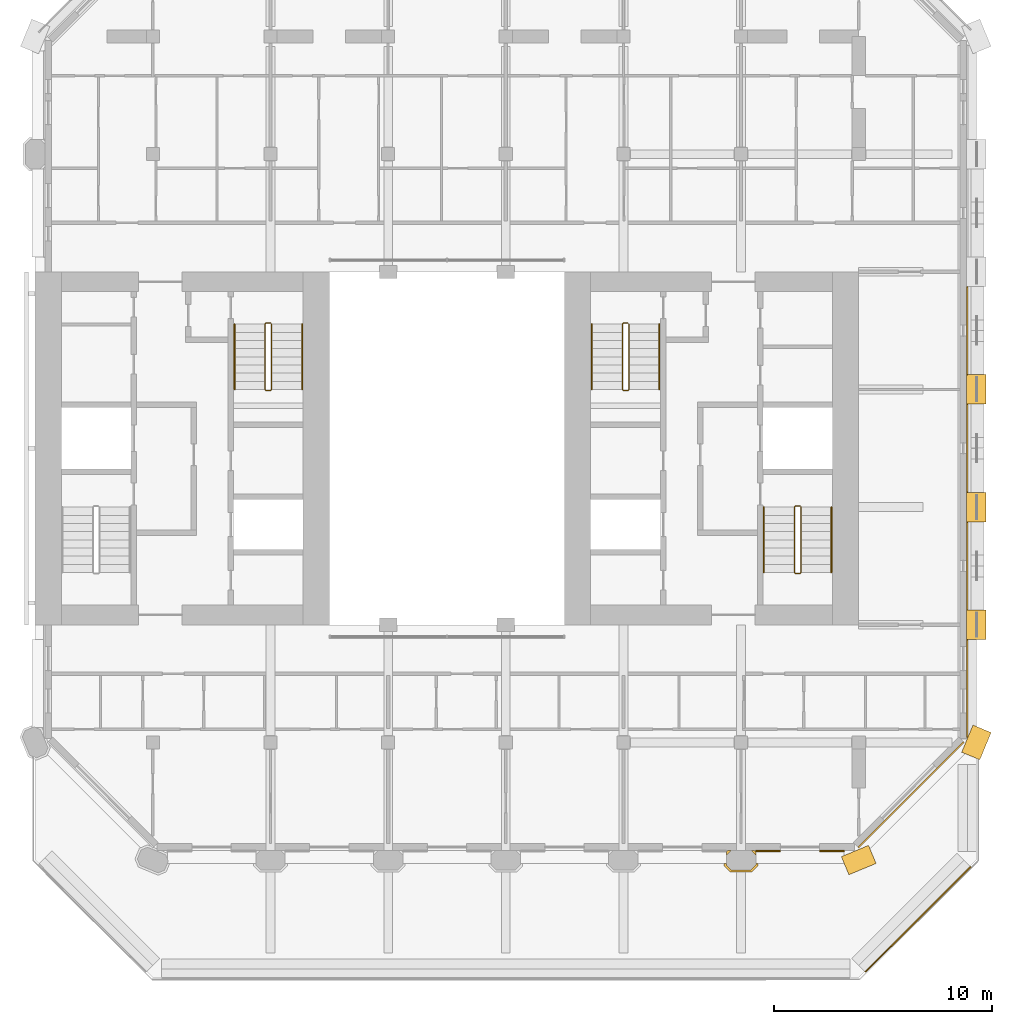
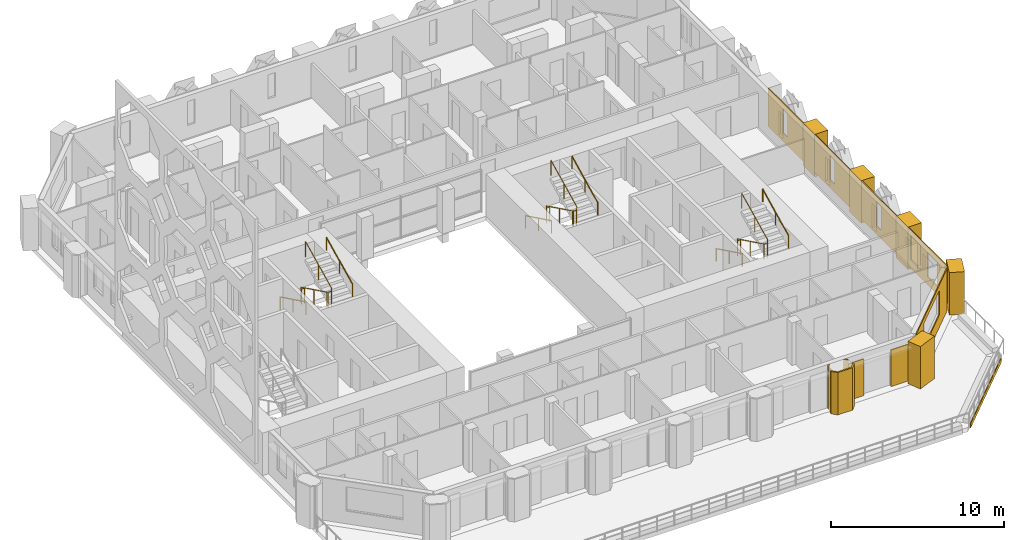
# One storey, part 16 of 17: 16 coverings, 9 railings.
"""IFC4 building model written with IfcOpenShell, lengths in metres."""

from ifc_helpers import new_model, si_unit, direction, frame, frame_2d, origin, origin_2d, place, context, subcontext, project, spatial, polyline, rectangle, circle, outline, extrude, material, layer, layer_set, type_object, element, save


model = new_model("IFC4")

# Units and contexts
model_context = context("Model", 3, precision=1e-05, world=origin(), true_north=direction((0.0, 1.0)))
body_context = subcontext(model_context, "Body", "Model", "MODEL_VIEW")
ifc_project = project(units=[si_unit("LENGTHUNIT", "METRE"), si_unit("AREAUNIT", "SQUARE_METRE"), si_unit("VOLUMEUNIT", "CUBIC_METRE"), si_unit("PLANEANGLEUNIT", "RADIAN"), si_unit("MASSUNIT", "GRAM", prefix="KILO")], contexts=[model_context])

# Site, building, storey
site_placement = place(None, origin())
site = spatial("IfcSite", under=ifc_project, at=site_placement, CompositionType="ELEMENT")
building_placement = place(site_placement, origin())
building = spatial("IfcBuilding", under=site, at=building_placement, Name="Tabaq Tower and Sports Hall", CompositionType="ELEMENT")
storey_placement = place(building_placement, frame((0.0, 0.0, 288.39990234375)))
storey = spatial("IfcBuildingStorey", under=building, at=storey_placement, Name="L71", CompositionType="ELEMENT", Elevation=288.39990234375)

# Coverings
ifc_material_1 = material(Name="Precast concrete C60/75", Category="concrete")
ifc_layer_1 = layer(ifc_material_1, 0.10009765625)
ifc_layer_set_1 = layer_set([ifc_layer_1], Name="Column cladding 100")
covering_type_1 = type_object("IfcCoveringType", Name="Column cladding 100", PredefinedType="CLADDING", material=ifc_layer_set_1)
covering_1_placement = place(storey_placement, origin())
element("IfcCovering", 1, at=covering_1_placement, inside=storey, type_object=covering_type_1, Name="Column cladding L71 PC-8B-R2", PredefinedType="CLADDING", context=body_context, shape_type="SweptSolid", body=[
    extrude(outline(polyline([(37.025634765625, 5.24951171875), (37.12451171875, 5.24951171875), (37.12451171875, 5.1748046875), (37.349853515625, 4.949462890625), (38.250244140625, 4.949462890625), (38.4755859375, 5.1748046875), (38.4755859375, 5.24951171875), (38.574462890625, 5.24951171875), (38.574462890625, 5.1337890625), (38.291259765625, 4.8505859375), (37.308837890625, 4.8505859375), (37.025634765625, 5.1337890625), (37.025634765625, 5.24951171875)])), origin(), (0.0, 0.0, 1.0), 3.0),
])
covering_2_placement = place(storey_placement, origin())
element("IfcCovering", 2, at=covering_2_placement, inside=storey, type_object=covering_type_1, Name="Column cladding L71 PC-8B-R2 2", PredefinedType="CLADDING", context=body_context, shape_type="SweptSolid", body=[
    extrude(outline(polyline([(37.208740234375, 5.849609375), (37.349365234375, 5.849609375), (37.125244140625, 5.625732421875), (37.125244140625, 5.766357421875), (37.208740234375, 5.849609375)])), origin(), (0.0, 0.0, 1.0), 3.0),
])
covering_3_placement = place(storey_placement, origin())
element("IfcCovering", 3, at=covering_3_placement, inside=storey, type_object=covering_type_1, Name="Column cladding L71 PC-8B-R2 3", PredefinedType="CLADDING", context=body_context, shape_type="SweptSolid", body=[
    extrude(outline(polyline([(38.474365234375, 5.62646484375), (38.25146484375, 5.849365234375), (38.39111328125, 5.849365234375), (38.474365234375, 5.76611328125), (38.474365234375, 5.62646484375)])), origin(), (0.0, 0.0, 1.0), 3.0),
])
ifc_material_2 = material(Name="Precast concrete C60/75", Category="concrete")
ifc_layer_2 = layer(ifc_material_2, 0.06005859375)
ifc_layer_set_2 = layer_set([ifc_layer_2], Name="Edge beam cladding 60")
covering_type_2 = type_object("IfcCoveringType", Name="Edge beam cladding 60", PredefinedType="CLADDING", material=ifc_layer_set_2)
covering_4_placement = place(storey_placement, frame((43.505615234375, 0.26318359375, -0.2998046875), z_axis=(0.0, 0.0, 1.0), x_axis=(0.707106781187, 0.707106781187, 0.0)))
element("IfcCovering", 4, at=covering_4_placement, inside=storey, type_object=covering_type_2, Name="Edge beam cladding L71 5", PredefinedType="CLADDING", context=body_context, shape_type="SweptSolid", body=[
    extrude(rectangle(XDim=6.83251953125, YDim=0.06005859375, at=frame_2d((3.416259765625, 0.0))), origin(), (0.0, 0.0, 1.0), 0.2998046875),
])
ifc_material_3 = material(Name="White precast concrete C60/75", Category="concrete")
covering_type_3 = type_object("IfcCoveringType", Name="Pier cladding hung 1350x900", PredefinedType="CLADDING", material=ifc_material_3)
for number, where, z_axis, x_axis, name in (
    (5, (42.576416015625, 5.1416015625, 0.0), (0.0, 0.0, 1.0), (0.923893411637, 0.382649923473, 0.0), "Hung pier cladding 8/1"),
    (6, (48.341796875, 10.17626953125, 0.0), (0.0, 0.0, 1.0), (0.382649923473, 0.923893411637, 0.0), "Hung pier cladding 9/2"),
    (7, (48.60009765625, 15.52490234375, 0.0), (0.0, 0.0, 1.0), (0.0, 1.0, 0.0), "Hung pier cladding 9/3"),
):
    element("IfcCovering", number, at=place(storey_placement, frame(where, z_axis=z_axis, x_axis=x_axis)), inside=storey, type_object=covering_type_3, Name=name, PredefinedType="CLADDING", context=body_context, shape_type="SweptSolid", body=[
        extrude(rectangle(XDim=1.35009765625, YDim=0.89990234375, at=frame_2d((0.675048828125, 0.0))), origin(), (0.0, 0.0, 1.0), 3.0),
    ])
covering_5_placement = place(storey_placement, frame((48.60009765625, 20.925048828125, 0.0), z_axis=(0.0, 0.0, 1.0), x_axis=(0.0, 1.0, 0.0)))
element("IfcCovering", 8, at=covering_5_placement, inside=storey, type_object=covering_type_3, Name="Hung pier cladding 9/4", PredefinedType="CLADDING", context=body_context, shape_type="SweptSolid", body=[
    extrude(rectangle(XDim=1.349853515625, YDim=0.89990234375, at=frame_2d((0.6748046875, 0.0))), origin(), (0.0, 0.0, 1.0), 3.0),
])
covering_6_placement = place(storey_placement, frame((48.60009765625, 26.324951171875, 0.0), z_axis=(0.0, 0.0, 1.0), x_axis=(0.0, 1.0, 0.0)))
element("IfcCovering", 9, at=covering_6_placement, inside=storey, type_object=covering_type_3, Name="Hung pier cladding 9/5", PredefinedType="CLADDING", context=body_context, shape_type="SweptSolid", body=[
    extrude(rectangle(XDim=1.35009765625, YDim=0.89990234375, at=frame_2d((0.675048828125, 0.0))), origin(), (0.0, 0.0, 1.0), 3.0),
])

# Railings
ifc_material_4 = material(Name="Stainless steel", Category="steel")
railing_type_1 = type_object("IfcRailingType", Name="Stair guard", PredefinedType="GUARDRAIL", material=ifc_material_4)
railing_1_placement = place(storey_placement, frame((16.199951171875, 30.050048828125, 0.0)))
element("IfcRailing", 10, at=railing_1_placement, inside=storey, type_object=railing_type_1, Name="L71 ST2 stair guard 1", PredefinedType="GUARDRAIL", context=body_context, shape_type="SweptSolid", body=[
    extrude(circle(Radius=0.02392578125, at=origin_2d()), frame((0.0, 0.0, 1.076171875), z_axis=(-1.0, 0.0, 0.0), x_axis=(0.0, -1.0, 0.0)), (0.0, 0.0, 1.0), 0.199951171875),
    extrude(circle(Radius=0.02392578125, at=origin_2d()), frame((-0.199951171875, 0.0, 1.076171875), z_axis=(-0.254653276557, -0.254653276557, 0.932900539971), x_axis=(0.707106781187, -0.707106781187, 0.0)), (0.0, 0.0, 1.0), 0.196533203125),
    extrude(circle(Radius=0.02392578125, at=origin_2d()), frame((-0.25, -0.050048828125, 1.25927734375), z_axis=(0.0, -0.898368975038, 0.439241601728), x_axis=(1.0, 0.0, 0.0)), (0.0, 0.0, 1.0), 3.33935546875),
    extrude(circle(Radius=0.02392578125, at=origin_2d()), frame((-0.25, -3.050048828125, 2.72607421875), z_axis=(0.707106781187, -0.707106781187, 0.0), x_axis=(0.707106781187, 0.707106781187, 0.0)), (0.0, 0.0, 1.0), 0.07080078125),
    extrude(circle(Radius=0.02392578125, at=origin_2d()), frame((-0.199951171875, -3.10009765625, 2.72607421875), z_axis=(1.0, 0.0, 0.0), x_axis=(0.0, 1.0, 0.0)), (0.0, 0.0, 1.0), 0.199951171875),
    extrude(circle(Radius=0.02392578125, at=origin_2d()), frame((0.0, -3.10009765625, 2.72607421875), z_axis=(0.254653276557, 0.254653276557, 0.932900539971), x_axis=(-0.707106781187, 0.707106781187, 0.0)), (0.0, 0.0, 1.0), 0.196533203125),
    extrude(circle(Radius=0.02392578125, at=origin_2d()), frame((0.050048828125, -3.050048828125, 2.90966796875), z_axis=(0.0, 0.898397823093, 0.439182594671), x_axis=(-1.0, 0.0, 0.0)), (0.0, 0.0, 1.0), 3.33935546875),
    extrude(circle(Radius=0.02099609375, at=origin_2d()), origin(), (0.0, 0.0, 1.0), 1.052001953125),
    extrude(circle(Radius=0.02099609375, at=origin_2d()), frame((-0.199951171875, 0.0, 0.0)), (0.0, 0.0, 1.0), 1.052001953125),
    extrude(circle(Radius=0.02099609375, at=origin_2d()), frame((-0.25, -0.050048828125, 0.183349609375)), (0.0, 0.0, 1.0), 1.052001953125),
    extrude(circle(Radius=0.02099609375, at=origin_2d()), frame((-0.25, -1.550048828125, 0.916748046875)), (0.0, 0.0, 1.0), 1.052001953125),
    extrude(circle(Radius=0.02099609375, at=origin_2d()), frame((-0.25, -3.050048828125, 1.650146484375)), (0.0, 0.0, 1.0), 1.052001953125),
    extrude(circle(Radius=0.02099609375, at=origin_2d()), frame((-0.199951171875, -3.10009765625, 1.650146484375)), (0.0, 0.0, 1.0), 1.052001953125),
    extrude(circle(Radius=0.02099609375, at=origin_2d()), frame((0.0, -3.10009765625, 1.650146484375)), (0.0, 0.0, 1.0), 1.052001953125),
    extrude(circle(Radius=0.02099609375, at=origin_2d()), frame((0.050048828125, -3.050048828125, 1.83349609375)), (0.0, 0.0, 1.0), 1.052001953125),
    extrude(circle(Radius=0.02099609375, at=origin_2d()), frame((0.050048828125, -1.550048828125, 2.56689453125)), (0.0, 0.0, 1.0), 1.052001953125),
    extrude(circle(Radius=0.02099609375, at=origin_2d()), frame((0.050048828125, -0.050048828125, 3.300048828125)), (0.0, 0.0, 1.0), 1.052001953125),
])
railing_2_placement = place(storey_placement, frame((40.5, 21.64990234375, 0.0)))
element("IfcRailing", 11, at=railing_2_placement, inside=storey, type_object=railing_type_1, Name="L71 ST3 stair guard 1", PredefinedType="GUARDRAIL", context=body_context, shape_type="SweptSolid", body=[
    extrude(circle(Radius=0.02392578125, at=origin_2d()), frame((0.0, 0.0, 1.076171875), z_axis=(-1.0, 0.0, 0.0), x_axis=(0.0, -1.0, 0.0)), (0.0, 0.0, 1.0), 0.199951171875),
    extrude(circle(Radius=0.02392578125, at=origin_2d()), frame((-0.199951171875, 0.0, 1.076171875), z_axis=(-0.254733673405, -0.25349107012, 0.933195066962), x_axis=(0.705375805398, -0.708833529934, 0.0)), (0.0, 0.0, 1.0), 0.196533203125),
    extrude(circle(Radius=0.02392578125, at=origin_2d()), frame((-0.25, -0.0498046875, 1.25927734375), z_axis=(0.0, -0.898368975038, 0.439241601728), x_axis=(1.0, 0.0, 0.0)), (0.0, 0.0, 1.0), 3.33935546875),
    extrude(circle(Radius=0.02392578125, at=origin_2d()), frame((-0.25, -3.0498046875, 2.72607421875), z_axis=(0.707106781187, -0.707106781187, 0.0), x_axis=(0.707106781187, 0.707106781187, 0.0)), (0.0, 0.0, 1.0), 0.07080078125),
    extrude(circle(Radius=0.02392578125, at=origin_2d()), frame((-0.199951171875, -3.099853515625, 2.72607421875), z_axis=(1.0, 0.0, 0.0), x_axis=(0.0, 1.0, 0.0)), (0.0, 0.0, 1.0), 0.199951171875),
    extrude(circle(Radius=0.02392578125, at=origin_2d()), frame((0.0, -3.099853515625, 2.72607421875), z_axis=(0.254653276557, 0.254653276557, 0.932900539971), x_axis=(-0.707106781187, 0.707106781187, 0.0)), (0.0, 0.0, 1.0), 0.196533203125),
    extrude(circle(Radius=0.02392578125, at=origin_2d()), frame((0.050048828125, -3.0498046875, 2.90966796875), z_axis=(0.0, 0.898397823093, 0.439182594671), x_axis=(-1.0, 0.0, 0.0)), (0.0, 0.0, 1.0), 3.33935546875),
    extrude(circle(Radius=0.02099609375, at=origin_2d()), origin(), (0.0, 0.0, 1.0), 1.052001953125),
    extrude(circle(Radius=0.02099609375, at=origin_2d()), frame((-0.199951171875, 0.0, 0.0)), (0.0, 0.0, 1.0), 1.052001953125),
    extrude(circle(Radius=0.02099609375, at=origin_2d()), frame((-0.25, -0.0498046875, 0.183349609375)), (0.0, 0.0, 1.0), 1.052001953125),
    extrude(circle(Radius=0.02099609375, at=origin_2d()), frame((-0.25, -1.5498046875, 0.916748046875)), (0.0, 0.0, 1.0), 1.052001953125),
    extrude(circle(Radius=0.02099609375, at=origin_2d()), frame((-0.25, -3.0498046875, 1.650146484375)), (0.0, 0.0, 1.0), 1.052001953125),
    extrude(circle(Radius=0.02099609375, at=origin_2d()), frame((-0.199951171875, -3.099853515625, 1.650146484375)), (0.0, 0.0, 1.0), 1.052001953125),
    extrude(circle(Radius=0.02099609375, at=origin_2d()), frame((0.0, -3.099853515625, 1.650146484375)), (0.0, 0.0, 1.0), 1.052001953125),
    extrude(circle(Radius=0.02099609375, at=origin_2d()), frame((0.050048828125, -3.0498046875, 1.83349609375)), (0.0, 0.0, 1.0), 1.052001953125),
    extrude(circle(Radius=0.02099609375, at=origin_2d()), frame((0.050048828125, -1.5498046875, 2.56689453125)), (0.0, 0.0, 1.0), 1.052001953125),
    extrude(circle(Radius=0.02099609375, at=origin_2d()), frame((0.050048828125, -0.0498046875, 3.300048828125)), (0.0, 0.0, 1.0), 1.052001953125),
])
railing_3_placement = place(storey_placement, frame((32.60009765625, 30.050048828125, 0.0)))
element("IfcRailing", 12, at=railing_3_placement, inside=storey, type_object=railing_type_1, Name="L71 ST4 stair guard 1", PredefinedType="GUARDRAIL", context=body_context, shape_type="SweptSolid", body=[
    extrude(circle(Radius=0.02392578125, at=origin_2d()), frame((0.0, 0.0, 1.076171875), z_axis=(-1.0, 0.0, 0.0), x_axis=(0.0, -1.0, 0.0)), (0.0, 0.0, 1.0), 0.2001953125),
    extrude(circle(Radius=0.02392578125, at=origin_2d()), frame((-0.2001953125, 0.0, 1.076171875), z_axis=(-0.25349107012, -0.254733673405, 0.933195066962), x_axis=(0.708833529934, -0.705375805398, 0.0)), (0.0, 0.0, 1.0), 0.196533203125),
    extrude(circle(Radius=0.02392578125, at=origin_2d()), frame((-0.25, -0.050048828125, 1.25927734375), z_axis=(0.0, -0.898368975038, 0.439241601728), x_axis=(1.0, 0.0, 0.0)), (0.0, 0.0, 1.0), 3.33935546875),
    extrude(circle(Radius=0.02392578125, at=origin_2d()), frame((-0.25, -3.050048828125, 2.72607421875), z_axis=(0.705375805398, -0.708833529934, 0.0), x_axis=(0.708833529934, 0.705375805398, 0.0)), (0.0, 0.0, 1.0), 0.070556640625),
    extrude(circle(Radius=0.02392578125, at=origin_2d()), frame((-0.2001953125, -3.10009765625, 2.72607421875), z_axis=(1.0, 0.0, 0.0), x_axis=(0.0, 1.0, 0.0)), (0.0, 0.0, 1.0), 0.2001953125),
    extrude(circle(Radius=0.02392578125, at=origin_2d()), frame((0.0, -3.10009765625, 2.72607421875), z_axis=(0.25349107012, 0.254733673405, 0.933195066962), x_axis=(-0.708833529934, 0.705375805398, 0.0)), (0.0, 0.0, 1.0), 0.196533203125),
    extrude(circle(Radius=0.02392578125, at=origin_2d()), frame((0.0498046875, -3.050048828125, 2.90966796875), z_axis=(0.0, 0.898397823093, 0.439182594671), x_axis=(-1.0, 0.0, 0.0)), (0.0, 0.0, 1.0), 3.33935546875),
    extrude(circle(Radius=0.02099609375, at=origin_2d()), origin(), (0.0, 0.0, 1.0), 1.052001953125),
    extrude(circle(Radius=0.02099609375, at=origin_2d()), frame((-0.2001953125, 0.0, 0.0)), (0.0, 0.0, 1.0), 1.052001953125),
    extrude(circle(Radius=0.02099609375, at=origin_2d()), frame((-0.25, -0.050048828125, 0.183349609375)), (0.0, 0.0, 1.0), 1.052001953125),
    extrude(circle(Radius=0.02099609375, at=origin_2d()), frame((-0.25, -1.550048828125, 0.916748046875)), (0.0, 0.0, 1.0), 1.052001953125),
    extrude(circle(Radius=0.02099609375, at=origin_2d()), frame((-0.25, -3.050048828125, 1.650146484375)), (0.0, 0.0, 1.0), 1.052001953125),
    extrude(circle(Radius=0.02099609375, at=origin_2d()), frame((-0.2001953125, -3.10009765625, 1.650146484375)), (0.0, 0.0, 1.0), 1.052001953125),
    extrude(circle(Radius=0.02099609375, at=origin_2d()), frame((0.0, -3.10009765625, 1.650146484375)), (0.0, 0.0, 1.0), 1.052001953125),
    extrude(circle(Radius=0.02099609375, at=origin_2d()), frame((0.0498046875, -3.050048828125, 1.83349609375)), (0.0, 0.0, 1.0), 1.052001953125),
    extrude(circle(Radius=0.02099609375, at=origin_2d()), frame((0.0498046875, -1.550048828125, 2.56689453125)), (0.0, 0.0, 1.0), 1.052001953125),
    extrude(circle(Radius=0.02099609375, at=origin_2d()), frame((0.0498046875, -0.050048828125, 3.300048828125)), (0.0, 0.0, 1.0), 1.052001953125),
])
ifc_material_5 = material(Name="Stainless steel", Category="steel")
railing_type_2 = type_object("IfcRailingType", Name="Stair handrail", PredefinedType="HANDRAIL", material=ifc_material_5)
railing_4_placement = place(storey_placement, frame((14.550048828125, 30.0, 0.183349609375)))
element("IfcRailing", 13, at=railing_4_placement, inside=storey, type_object=railing_type_2, Name="L71 ST2 stair handrail 1", PredefinedType="HANDRAIL", context=body_context, shape_type="SweptSolid", body=[
    extrude(circle(Radius=0.02392578125, at=origin_2d()), frame((0.0, 0.0, 0.8759765625), z_axis=(0.0, -0.898368975038, 0.439241601728), x_axis=(1.0, 0.0, 0.0)), (0.0, 0.0, 1.0), 3.33935546875),
    extrude(circle(Radius=0.02099609375, at=origin_2d()), origin(), (0.0, 0.0, 1.0), 0.851806640625),
    extrude(circle(Radius=0.02099609375, at=origin_2d()), frame((0.0, -1.5, 0.7333984375)), (0.0, 0.0, 1.0), 0.851806640625),
    extrude(circle(Radius=0.02099609375, at=origin_2d()), frame((0.0, -3.0, 1.466796875)), (0.0, 0.0, 1.0), 0.851806640625),
])
railing_5_placement = place(storey_placement, frame((17.64990234375, 27.0, 1.83349609375)))
element("IfcRailing", 14, at=railing_5_placement, inside=storey, type_object=railing_type_2, Name="L71 ST2 stair handrail 2", PredefinedType="HANDRAIL", context=body_context, shape_type="SweptSolid", body=[
    extrude(circle(Radius=0.02392578125, at=origin_2d()), frame((0.0, 0.0, 0.8759765625), z_axis=(0.0, 0.898397823093, 0.439182594671), x_axis=(-1.0, 0.0, 0.0)), (0.0, 0.0, 1.0), 3.33935546875),
    extrude(circle(Radius=0.02099609375, at=origin_2d()), origin(), (0.0, 0.0, 1.0), 0.851806640625),
    extrude(circle(Radius=0.02099609375, at=origin_2d()), frame((0.0, 1.5, 0.7333984375)), (0.0, 0.0, 1.0), 0.851806640625),
    extrude(circle(Radius=0.02099609375, at=origin_2d()), frame((0.0, 3.0, 1.466552734375)), (0.0, 0.0, 1.0), 0.851806640625),
])
railing_6_placement = place(storey_placement, frame((38.85009765625, 21.60009765625, 0.183349609375)))
element("IfcRailing", 15, at=railing_6_placement, inside=storey, type_object=railing_type_2, Name="L71 ST3 stair handrail 1", PredefinedType="HANDRAIL", context=body_context, shape_type="SweptSolid", body=[
    extrude(circle(Radius=0.02392578125, at=origin_2d()), frame((0.0, 0.0, 0.8759765625), z_axis=(0.0, -0.898368975038, 0.439241601728), x_axis=(1.0, 0.0, 0.0)), (0.0, 0.0, 1.0), 3.33935546875),
    extrude(circle(Radius=0.02099609375, at=origin_2d()), origin(), (0.0, 0.0, 1.0), 0.851806640625),
    extrude(circle(Radius=0.02099609375, at=origin_2d()), frame((0.0, -1.5, 0.7333984375)), (0.0, 0.0, 1.0), 0.851806640625),
    extrude(circle(Radius=0.02099609375, at=origin_2d()), frame((0.0, -3.0, 1.466796875)), (0.0, 0.0, 1.0), 0.851806640625),
])
railing_7_placement = place(storey_placement, frame((41.949951171875, 18.60009765625, 1.83349609375)))
element("IfcRailing", 16, at=railing_7_placement, inside=storey, type_object=railing_type_2, Name="L71 ST3 stair handrail 2", PredefinedType="HANDRAIL", context=body_context, shape_type="SweptSolid", body=[
    extrude(circle(Radius=0.02392578125, at=origin_2d()), frame((0.0, 0.0, 0.8759765625), z_axis=(0.0, 0.898397823093, 0.439182594671), x_axis=(-1.0, 0.0, 0.0)), (0.0, 0.0, 1.0), 3.33935546875),
    extrude(circle(Radius=0.02099609375, at=origin_2d()), origin(), (0.0, 0.0, 1.0), 0.851806640625),
    extrude(circle(Radius=0.02099609375, at=origin_2d()), frame((0.0, 1.5, 0.7333984375)), (0.0, 0.0, 1.0), 0.851806640625),
    extrude(circle(Radius=0.02099609375, at=origin_2d()), frame((0.0, 3.0, 1.466552734375)), (0.0, 0.0, 1.0), 0.851806640625),
])
railing_8_placement = place(storey_placement, frame((30.949951171875, 30.0, 0.183349609375)))
element("IfcRailing", 17, at=railing_8_placement, inside=storey, type_object=railing_type_2, Name="L71 ST4 stair handrail 1", PredefinedType="HANDRAIL", context=body_context, shape_type="SweptSolid", body=[
    extrude(circle(Radius=0.02392578125, at=origin_2d()), frame((0.0, 0.0, 0.8759765625), z_axis=(0.0, -0.898368975038, 0.439241601728), x_axis=(1.0, 0.0, 0.0)), (0.0, 0.0, 1.0), 3.33935546875),
    extrude(circle(Radius=0.02099609375, at=origin_2d()), origin(), (0.0, 0.0, 1.0), 0.851806640625),
    extrude(circle(Radius=0.02099609375, at=origin_2d()), frame((0.0, -1.5, 0.7333984375)), (0.0, 0.0, 1.0), 0.851806640625),
    extrude(circle(Radius=0.02099609375, at=origin_2d()), frame((0.0, -3.0, 1.466796875)), (0.0, 0.0, 1.0), 0.851806640625),
])
railing_9_placement = place(storey_placement, frame((34.050048828125, 27.0, 1.83349609375)))
element("IfcRailing", 18, at=railing_9_placement, inside=storey, type_object=railing_type_2, Name="L71 ST4 stair handrail 2", PredefinedType="HANDRAIL", context=body_context, shape_type="SweptSolid", body=[
    extrude(circle(Radius=0.02392578125, at=origin_2d()), frame((0.0, 0.0, 0.8759765625), z_axis=(0.0, 0.898397823093, 0.439182594671), x_axis=(-1.0, 0.0, 0.0)), (0.0, 0.0, 1.0), 3.33935546875),
    extrude(circle(Radius=0.02099609375, at=origin_2d()), origin(), (0.0, 0.0, 1.0), 0.851806640625),
    extrude(circle(Radius=0.02099609375, at=origin_2d()), frame((0.0, 1.5, 0.7333984375)), (0.0, 0.0, 1.0), 0.851806640625),
    extrude(circle(Radius=0.02099609375, at=origin_2d()), frame((0.0, 3.0, 1.466552734375)), (0.0, 0.0, 1.0), 0.851806640625),
])

# Coverings
ifc_material_6 = material(Name="Precast concrete C60/75", Category="concrete")
ifc_layer_3 = layer(ifc_material_6, 0.06005859375)
ifc_layer_set_3 = layer_set([ifc_layer_3], Name="White precast cladding panel 60 C60/75")
covering_type_4 = type_object("IfcCoveringType", Name="White precast cladding panel 60 C60/75", PredefinedType="CLADDING", material=ifc_layer_set_3)
covering_7_placement = place(storey_placement, frame((38.485107421875, 5.820068359375, 0.0), z_axis=(0.0, 0.0, 1.0), x_axis=(1.0, 0.0, 0.0)))
element("IfcCovering", 19, at=covering_7_placement, inside=storey, type_object=covering_type_4, Name="White precast cladding panel L71 wall00 11", PredefinedType="CLADDING", context=body_context, shape_type="SweptSolid", body=[
    extrude(rectangle(XDim=1.10498046875, YDim=0.06005859375, at=frame_2d((0.552490234375, 0.0))), origin(), (0.0, 0.0, 1.0), 2.590087890625),
])
covering_8_placement = place(storey_placement, frame((41.409912109375, 5.820068359375, 0.0), z_axis=(0.0, 0.0, 1.0), x_axis=(1.0, 0.0, 0.0)))
element("IfcCovering", 20, at=covering_8_placement, inside=storey, type_object=covering_type_4, Name="White precast cladding panel L71 wall00 12", PredefinedType="CLADDING", context=body_context, shape_type="SweptSolid", body=[
    extrude(rectangle(XDim=1.125, YDim=0.06005859375, at=frame_2d((0.5625, 0.0))), origin(), (0.0, 0.0, 1.0), 2.590087890625),
])
covering_9_placement = place(storey_placement, frame((43.177734375, 5.9716796875, 0.0), z_axis=(0.0, 0.0, 1.0), x_axis=(0.707106781187, 0.707106781187, 0.0)))
element("IfcCovering", 21, at=covering_9_placement, inside=storey, type_object=covering_type_4, Name="White precast cladding panel L71 wall01", PredefinedType="CLADDING", context=body_context, shape_type="SweptSolid", body=[
    extrude(outline(polyline([(0.0, 0.0), (6.85986328125, 0.0), (6.85986328125, 3.0), (0.0, 3.0), (0.0, 0.0)]), holes=[polyline([(1.7197265625, 0.89013671875), (1.7197265625, 2.610107421875), (5.139892578125, 2.610107421875), (5.139892578125, 0.89013671875), (1.7197265625, 0.89013671875)])]), frame((0.0, 0.030029296875, 0.0), z_axis=(0.0, -1.0, 0.0), x_axis=(1.0, 0.0, 0.0)), (0.0, 0.0, 1.0), 0.06005859375),
])
covering_10_placement = place(storey_placement, frame((48.179931640625, 11.043212890625, 0.31005859375), z_axis=(0.0, 0.0, 1.0), x_axis=(0.0, 1.0, 0.0)))
element("IfcCovering", 22, at=covering_10_placement, inside=storey, type_object=covering_type_4, Name="White precast cladding panel L71 wall02", PredefinedType="CLADDING", context=body_context, shape_type="SweptSolid", body=[
    extrude(outline(polyline([(0.0, 0.0), (4.4716796875, 0.0), (4.4716796875, 2.68994140625), (0.0, 2.68994140625), (0.0, 0.0)]), holes=[polyline([(1.096923828125, 2.300048828125), (2.216796875, 2.300048828125), (2.216796875, 0.580078125), (1.096923828125, 0.580078125), (1.096923828125, 2.300048828125)]), polyline([(3.046875, 2.300048828125), (4.166748046875, 2.300048828125), (4.166748046875, 0.580078125), (3.046875, 0.580078125), (3.046875, 2.300048828125)])]), frame((0.0, 0.030029296875, 0.0), z_axis=(0.0, -1.0, 0.0), x_axis=(1.0, 0.0, 0.0)), (0.0, 0.0, 1.0), 0.06005859375),
])
for number, where, z_axis, x_axis, name in (
    (23, (48.179931640625, 16.885009765625, 0.31005859375), (0.0, 0.0, 1.0), (0.0, 1.0, 0.0), "White precast cladding panel L71 wall02 2"),
    (24, (48.179931640625, 22.284912109375, 0.31005859375), (0.0, 0.0, 1.0), (0.0, 1.0, 0.0), "White precast cladding panel L71 wall02 3"),
    (25, (48.179931640625, 27.68505859375, 0.31005859375), (0.0, 0.0, 1.0), (0.0, 1.0, 0.0), "White precast cladding panel L71 wall02 4"),
):
    element("IfcCovering", number, at=place(storey_placement, frame(where, z_axis=z_axis, x_axis=x_axis)), inside=storey, type_object=covering_type_4, Name=name, PredefinedType="CLADDING", context=body_context, shape_type="SweptSolid", body=[
        extrude(outline(polyline([(0.0, 0.0), (4.030029296875, 0.0), (4.030029296875, 2.68994140625), (0.0, 2.68994140625), (0.0, 0.0)]), holes=[polyline([(1.7548828125, 0.580078125), (1.7548828125, 2.300048828125), (2.27490234375, 2.300048828125), (2.27490234375, 0.580078125), (1.7548828125, 0.580078125)])]), frame((0.0, 0.030029296875, 0.0), z_axis=(0.0, -1.0, 0.0), x_axis=(1.0, 0.0, 0.0)), (0.0, 0.0, 1.0), 0.06005859375),
    ])

save(model, "model.ifc")
